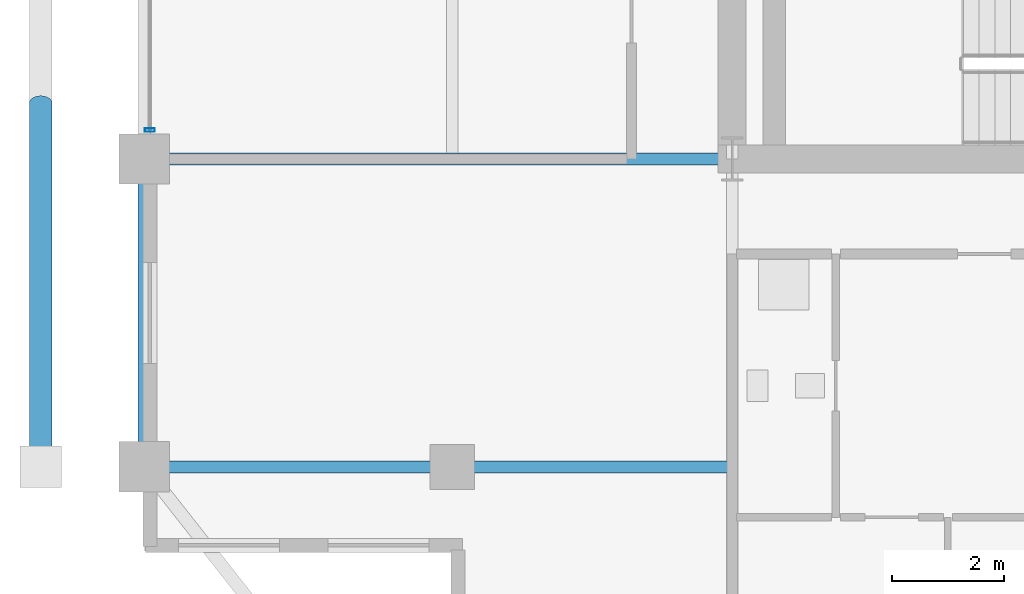
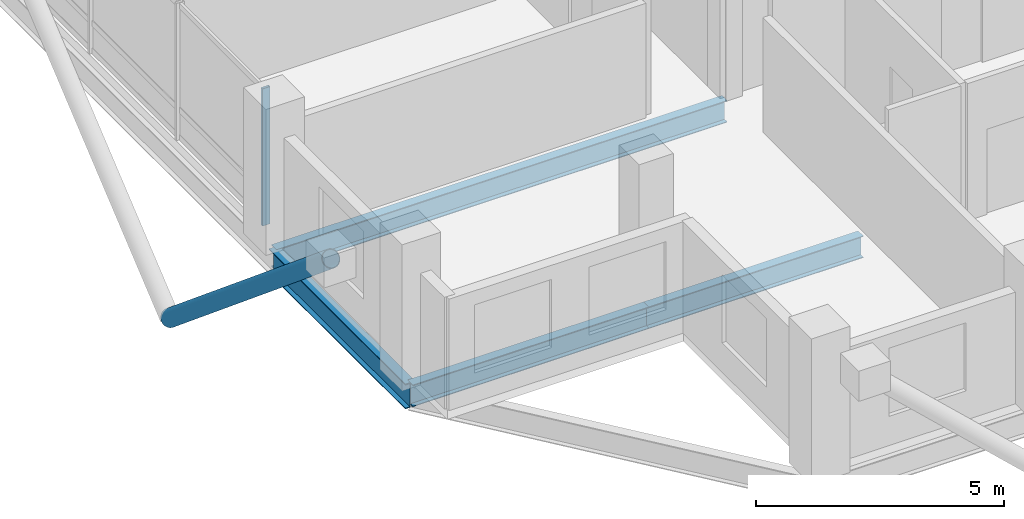
# One storey, part 3 of 23: 4 beams, 2 members, 1 element without a shape of its own.
"""IFC4 building model written with IfcOpenShell, lengths in metres."""

from ifc_helpers import new_model, si_unit, direction, frame, origin, origin_2d, place, context, subcontext, project, spatial, hollow_rectangle, hollow_circle, i_section, extrude, material, layer, layer_set, material_profile, profile_set, type_object, element, aggregate, save


model = new_model("IFC4")

# Units and contexts
model_context = context("Model", 3, precision=1e-05, world=origin(), true_north=direction((0.0, 1.0)))
body_context = subcontext(model_context, "Body", "Model", "MODEL_VIEW")
ifc_project = project(units=[si_unit("LENGTHUNIT", "METRE"), si_unit("AREAUNIT", "SQUARE_METRE"), si_unit("VOLUMEUNIT", "CUBIC_METRE"), si_unit("PLANEANGLEUNIT", "RADIAN"), si_unit("MASSUNIT", "GRAM", prefix="KILO")], contexts=[model_context])

# Site, building, storey
site_placement = place(None, origin())
site = spatial("IfcSite", under=ifc_project, at=site_placement, CompositionType="ELEMENT")
building_placement = place(site_placement, origin())
building = spatial("IfcBuilding", under=site, at=building_placement, Name="Barlavira Tower and Art Museum", CompositionType="ELEMENT")
storey_placement = place(building_placement, frame((0.0, 0.0, 236.699951171875)))
storey = spatial("IfcBuildingStorey", under=building, at=storey_placement, Name="L61", CompositionType="ELEMENT", Elevation=236.699951171875)

# Curtain wall, member
ifc_material_1 = material(Name="Low-iron coastal laminated glass", Category="glass")
ifc_layer = layer(ifc_material_1, 0.2099609375, Name="Low-iron coastal laminated glass")
ifc_layer_set = layer_set([ifc_layer], Name="Low-iron coastal laminated glass")
curtain_wall_type = type_object("IfcCurtainWallType", Name="Pale-Metal Unitised Curtain Wall Zone 4", PredefinedType="NOTDEFINED", material=ifc_layer_set)
curtain_wall_placement = place(storey_placement, origin())
curtain_wall = element("IfcCurtainWall", 1, at=curtain_wall_placement, inside=storey, type_object=curtain_wall_type, Name="L61 Curtain Wall CW4-L61-W-B3", PredefinedType="NOTDEFINED")
ifc_material_2 = material(Name="Pale anodised aluminium", Category="aluminium")
ifc_material_profile_1 = material_profile(ifc_material_2, hollow_rectangle(XDim=0.06494140625, YDim=0.179931640625, WallThickness=0.00390625, at=origin_2d()), Name="ALU-MULL 65x180x4")
ifc_profile_set_1 = profile_set([ifc_material_profile_1], Name="Pale anodised aluminium")
member_type_1 = type_object("IfcMemberType", Name="Curtain Wall Pale-Metal Mullion 65x180", PredefinedType="MULLION", material=ifc_profile_set_1)
member_1_placement = place(storey_placement, frame((-16.89990234375, -6.985107421875, 0.0), z_axis=(0.0, 0.0, 1.0), x_axis=(0.0, -1.0, 0.0)))
member_1 = element("IfcMember", 2, at=member_1_placement, type_object=member_type_1, Name="CW4-L61-W-B3 Mullion 4", PredefinedType="MULLION", context=body_context, shape_type="SweptSolid", body=[
    extrude(hollow_rectangle(XDim=0.06494140625, YDim=0.179931640625, WallThickness=0.00390625, at=origin_2d()), origin(), (0.0, 0.0, 1.0), 3.380126953125),
])
aggregate(curtain_wall, [member_1])

# Member
ifc_material_3 = material(Name="Steel S355", Category="steel")
ifc_material_profile_2 = material_profile(ifc_material_3, hollow_circle(Radius=0.203125, WallThickness=0.01611328125, at=origin_2d()), Name="CHS 406.4x16.0")
ifc_profile_set_2 = profile_set([ifc_material_profile_2], Name="Steel S355")
member_type_2 = type_object("IfcMemberType", Name="Pale-Metal Exoskeleton Diagrid Tube CHS 406x16 Steel S355", PredefinedType="BRACE", material=ifc_profile_set_2)
member_2_placement = place(storey_placement, frame((-18.85009765625, -6.5, -1.919921875), z_axis=(0.0, -0.769196053329, 0.639012857104), x_axis=(1.0, 0.0, 0.0)))
element("IfcMember", 3, at=member_2_placement, inside=storey, type_object=member_type_2, Name="L61 Exoskeleton Diagrid Tube W", PredefinedType="BRACE", context=body_context, shape_type="SweptSolid", body=[
    extrude(hollow_circle(Radius=0.203125, WallThickness=0.01611328125, at=origin_2d()), origin(), (0.0, 0.0, 1.0), 8.450439453125),
])

# Beams
ifc_material_profile_3 = material_profile(ifc_material_3, i_section(OverallWidth=0.22998046875, OverallDepth=0.616943359375, WebThickness=0.01318359375, FlangeThickness=0.022216796875, at=origin_2d()), Name="W610x140.0")
ifc_profile_set_3 = profile_set([ifc_material_profile_3], Name="Steel S355")
beam_type_1 = type_object("IfcBeamType", Name="Upper Shaft Spandrel Edge Beam W610x140 Steel S355", PredefinedType="SPANDREL", material=ifc_profile_set_3)
beam_1_placement = place(storey_placement, frame((-17.0, -13.0, -0.528564453125), z_axis=(0.0, 1.0, 0.0), x_axis=(-1.0, 0.0, 0.0)))
element("IfcBeam", 4, at=beam_1_placement, inside=storey, type_object=beam_type_1, Name="L61 Spandrel 15", PredefinedType="SPANDREL", context=body_context, shape_type="SweptSolid", body=[
    extrude(i_section(OverallWidth=0.22998046875, OverallDepth=0.616943359375, WebThickness=0.01318359375, FlangeThickness=0.022216796875, at=origin_2d()), origin(), (0.0, 0.0, 1.0), 5.5),
])
ifc_material_profile_4 = material_profile(ifc_material_3, i_section(OverallWidth=0.2109375, OverallDepth=0.5390625, WebThickness=0.01171875, FlangeThickness=0.018798828125, at=origin_2d()), Name="W530x109.0")
ifc_profile_set_4 = profile_set([ifc_material_profile_4], Name="Steel S355")
beam_type_2 = type_object("IfcBeamType", Name="Zone 3-4 Primary Floor Girder W530x109 Steel S355", PredefinedType="BEAM", material=ifc_profile_set_4)
beam_2_placement = place(storey_placement, frame((-17.0, -7.5, -0.489501953125), z_axis=(1.0, 0.0, 0.0), x_axis=(0.0, 1.0, 0.0)))
element("IfcBeam", 5, at=beam_2_placement, inside=storey, type_object=beam_type_2, Name="L61 Girder R-W1", PredefinedType="BEAM", context=body_context, shape_type="SweptSolid", body=[
    extrude(i_section(OverallWidth=0.2109375, OverallDepth=0.5390625, WebThickness=0.01171875, FlangeThickness=0.018798828125, at=origin_2d()), origin(), (0.0, 0.0, 1.0), 10.5),
])
beam_3_placement = place(storey_placement, frame((-17.0, -13.0, -0.489501953125), z_axis=(1.0, 0.0, 0.0), x_axis=(0.0, 1.0, 0.0)))
element("IfcBeam", 6, at=beam_3_placement, inside=storey, type_object=beam_type_2, Name="L61 Girder I-S1", PredefinedType="BEAM", context=body_context, shape_type="SweptSolid", body=[
    extrude(i_section(OverallWidth=0.2109375, OverallDepth=0.5390625, WebThickness=0.01171875, FlangeThickness=0.018798828125, at=origin_2d()), origin(), (0.0, 0.0, 1.0), 5.5),
])
beam_4_placement = place(storey_placement, frame((-11.5, -13.0, -0.489501953125), z_axis=(1.0, 0.0, 0.0), x_axis=(0.0, 1.0, 0.0)))
element("IfcBeam", 7, at=beam_4_placement, inside=storey, type_object=beam_type_2, Name="L61 Girder I-S2", PredefinedType="BEAM", context=body_context, shape_type="SweptSolid", body=[
    extrude(i_section(OverallWidth=0.2109375, OverallDepth=0.5390625, WebThickness=0.01171875, FlangeThickness=0.018798828125, at=origin_2d()), origin(), (0.0, 0.0, 1.0), 5.0),
])

save(model, "model.ifc")
